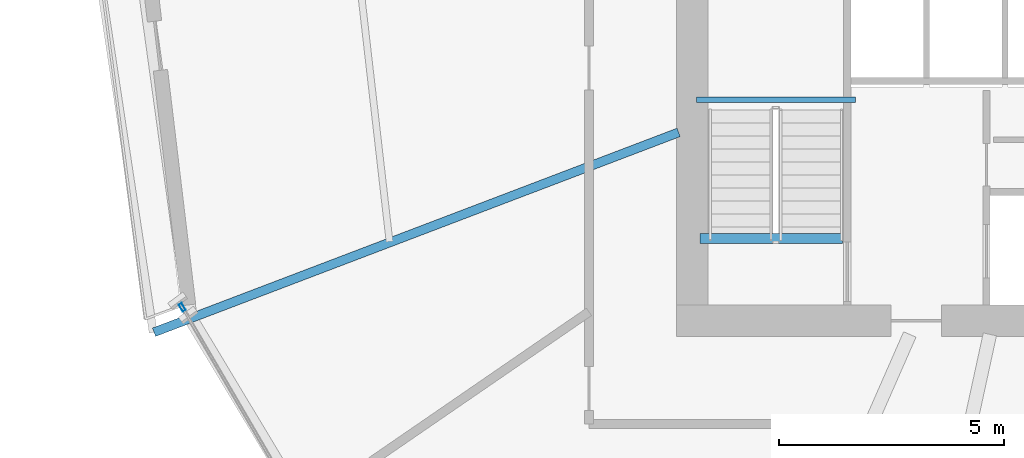
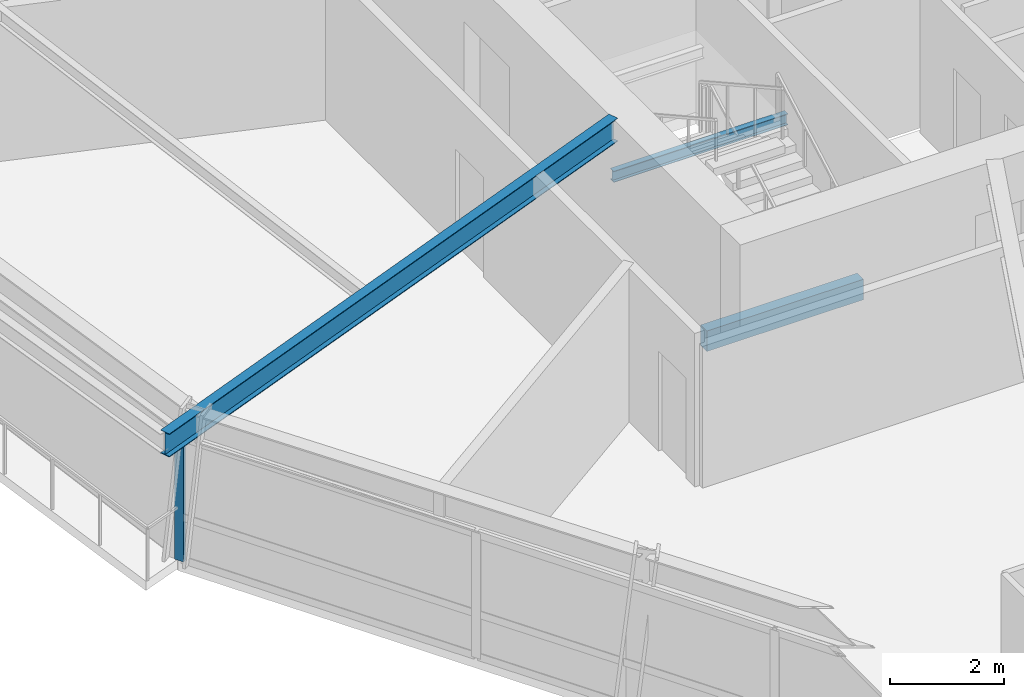
# One storey, part 4 of 17: 3 beams, 1 member, 1 element without a shape of its own.
"""IFC4 building model written with IfcOpenShell, lengths in metres."""

from ifc_helpers import new_model, si_unit, direction, frame, origin, origin_2d, place, context, subcontext, project, spatial, rectangle, hollow_rectangle, i_section, extrude, source, transform, mapped, material, material_profile, profile_set, type_object, element, aggregate, save


model = new_model("IFC4")

# Units and contexts
model_context = context("Model", 3, precision=1e-05, world=origin(), true_north=direction((0.0, 1.0)))
body_context = subcontext(model_context, "Body", "Model", "MODEL_VIEW")
ifc_project = project(units=[si_unit("LENGTHUNIT", "METRE"), si_unit("AREAUNIT", "SQUARE_METRE"), si_unit("VOLUMEUNIT", "CUBIC_METRE"), si_unit("PLANEANGLEUNIT", "RADIAN"), si_unit("MASSUNIT", "GRAM", prefix="KILO")], contexts=[model_context])

# Site, building, storey
site_placement = place(None, origin())
site = spatial("IfcSite", under=ifc_project, at=site_placement, CompositionType="ELEMENT")
building_placement = place(site_placement, origin())
building = spatial("IfcBuilding", under=site, at=building_placement, Name="Olszyna Solenne Hotel", CompositionType="ELEMENT")
storey_placement = place(building_placement, frame((0.0, 0.0, 116.35009765625)))
storey = spatial("IfcBuildingStorey", under=building, at=storey_placement, Name="L30", CompositionType="ELEMENT", Elevation=116.35009765625)

# Beam
ifc_material_1 = material(Name="Steel S355J2", Category="steel")
ifc_material_profile_1 = material_profile(ifc_material_1, i_section(OverallWidth=0.199951171875, OverallDepth=0.5, WebThickness=0.01025390625, FlangeThickness=0.01611328125, at=origin_2d()), Name="IPE 500", Category="load-bearing")
ifc_profile_set_1 = profile_set([ifc_material_profile_1], Name="Steel S355J2")
beam_type_1 = type_object("IfcBeamType", Name="BM-F3", PredefinedType="BEAM", material=ifc_profile_set_1)
shared_shape_1 = source(origin(), body_context, "Body", "SweptSolid", [
    extrude(i_section(OverallWidth=0.199951171875, OverallDepth=0.5, WebThickness=0.01025390625, FlangeThickness=0.01611328125, at=origin_2d()), origin(), (0.0, 0.0, 1.0), 12.501220703125),
])
beam_1_placement = place(storey_placement, frame((17.76416015625, 18.896484375, 3.0498046875), z_axis=(0.934515885131, 0.355921424528, 0.0), x_axis=(-0.355921424528, 0.934515885131, 0.0)))
element("IfcBeam", 1, at=beam_1_placement, inside=storey, type_object=beam_type_1, Name="Radial floor girder BM-F3 B-L30-0915", PredefinedType="BEAM", context=body_context, shape_type="MappedRepresentation", body=[
    mapped(shared_shape_1, transform((0.0, 0.0, 0.0), x_axis=(1.0, 0.0, 0.0), y_axis=(0.0, 1.0, 0.0), z_axis=(0.0, 0.0, 1.0), scale=1.0)),
])

# Curtain wall, member
ifc_material_2 = material(Name="Anodised bronze aluminium", Category="aluminium")
curtain_wall_type = type_object("IfcCurtainWallType", Name="CW-SYS-3", PredefinedType="NOTDEFINED", material=ifc_material_2)
curtain_wall_placement = place(storey_placement, origin())
curtain_wall = element("IfcCurtainWall", 2, at=curtain_wall_placement, inside=storey, type_object=curtain_wall_type, Name="Unitised curtain wall CW-SYS-3 CW-L30-01", PredefinedType="NOTDEFINED")
ifc_material_profile_2 = material_profile(ifc_material_2, hollow_rectangle(XDim=0.074951171875, YDim=0.179931640625, WallThickness=0.00439453125, at=origin_2d()), Name="MULL 180x75x4.5", Category="load-bearing")
ifc_profile_set_2 = profile_set([ifc_material_profile_2], Name="Anodised bronze aluminium")
member_type = type_object("IfcMemberType", Name="CW-M2", PredefinedType="MULLION", material=ifc_profile_set_2)
shared_shape_2 = source(origin(), body_context, "Body", "SweptSolid", [
    extrude(hollow_rectangle(XDim=0.074951171875, YDim=0.179931640625, WallThickness=0.00439453125, at=origin_2d()), origin(), (0.0, 0.0, 1.0), 2.69189453125),
])
member_placement = place(storey_placement, frame((18.392333984375, 19.452880859375, 0.0), z_axis=(0.0, 0.0, 1.0), x_axis=(0.863615294369, 0.504151389299, 0.0)))
member = element("IfcMember", 3, at=member_placement, type_object=member_type, Name="Curtain-wall mullion CW-M2 CM-L30-01-01", PredefinedType="MULLION", context=body_context, shape_type="MappedRepresentation", body=[
    mapped(shared_shape_2, transform((0.0, 0.0, 0.0), x_axis=(1.0, 0.0, 0.0), y_axis=(0.0, 1.0, 0.0), z_axis=(0.0, 0.0, 1.0), scale=1.0)),
])
aggregate(curtain_wall, [member])

# Beams
ifc_material_profile_3 = material_profile(ifc_material_1, i_section(OverallWidth=0.1201171875, OverallDepth=0.239990234375, WebThickness=0.006103515625, FlangeThickness=0.009765625, at=origin_2d()), Name="IPE 240", Category="load-bearing")
ifc_profile_set_3 = profile_set([ifc_material_profile_3], Name="Steel S355J2")
beam_type_2 = type_object("IfcBeamType", Name="JS-03", PredefinedType="JOIST", material=ifc_profile_set_3)
shared_shape_3 = source(origin(), body_context, "Body", "SweptSolid", [
    extrude(i_section(OverallWidth=0.1201171875, OverallDepth=0.239990234375, WebThickness=0.006103515625, FlangeThickness=0.009765625, at=origin_2d()), origin(), (0.0, 0.0, 1.0), 3.539794921875),
])
beam_2_placement = place(storey_placement, frame((33.3798828125, 24.070068359375, 1.449951171875), z_axis=(-1.0, 0.0, 0.0), x_axis=(0.0, -1.0, 0.0)))
element("IfcBeam", 4, at=beam_2_placement, inside=storey, type_object=beam_type_2, Name="Stair landing support beam JS-03 SLB-ST1-0065", PredefinedType="JOIST", context=body_context, shape_type="MappedRepresentation", body=[
    mapped(shared_shape_3, transform((0.0, 0.0, 0.0), x_axis=(1.0, 0.0, 0.0), y_axis=(0.0, 1.0, 0.0), z_axis=(0.0, 0.0, 1.0), scale=1.0)),
])
ifc_material_3 = material(Name="Concrete C50/60", Category="concrete")
ifc_material_profile_4 = material_profile(ifc_material_3, rectangle(XDim=0.219970703125, YDim=0.43994140625, at=origin_2d()), Name="RC 220x440", Category="load-bearing")
ifc_profile_set_4 = profile_set([ifc_material_profile_4], Name="Concrete C50/60")
beam_type_3 = type_object("IfcBeamType", Name="BM-ST1", PredefinedType="BEAM", material=ifc_profile_set_4)
shared_shape_4 = source(origin(), body_context, "Body", "SweptSolid", [
    extrude(rectangle(XDim=0.219970703125, YDim=0.43994140625, at=origin_2d()), origin(), (0.0, 0.0, 1.0), 3.18017578125),
])
beam_3_placement = place(storey_placement, frame((33.10009765625, 20.97998046875, -0.205078125), z_axis=(-1.0, 0.0, 0.0), x_axis=(0.0, -1.0, 0.0)))
element("IfcBeam", 5, at=beam_3_placement, inside=storey, type_object=beam_type_3, Name="Concrete stair trimmer beam BM-ST1 SHB-ST1-0192", PredefinedType="BEAM", context=body_context, shape_type="MappedRepresentation", body=[
    mapped(shared_shape_4, transform((0.0, 0.0, 0.0), x_axis=(1.0, 0.0, 0.0), y_axis=(0.0, 1.0, 0.0), z_axis=(0.0, 0.0, 1.0), scale=1.0)),
])

save(model, "model.ifc")
